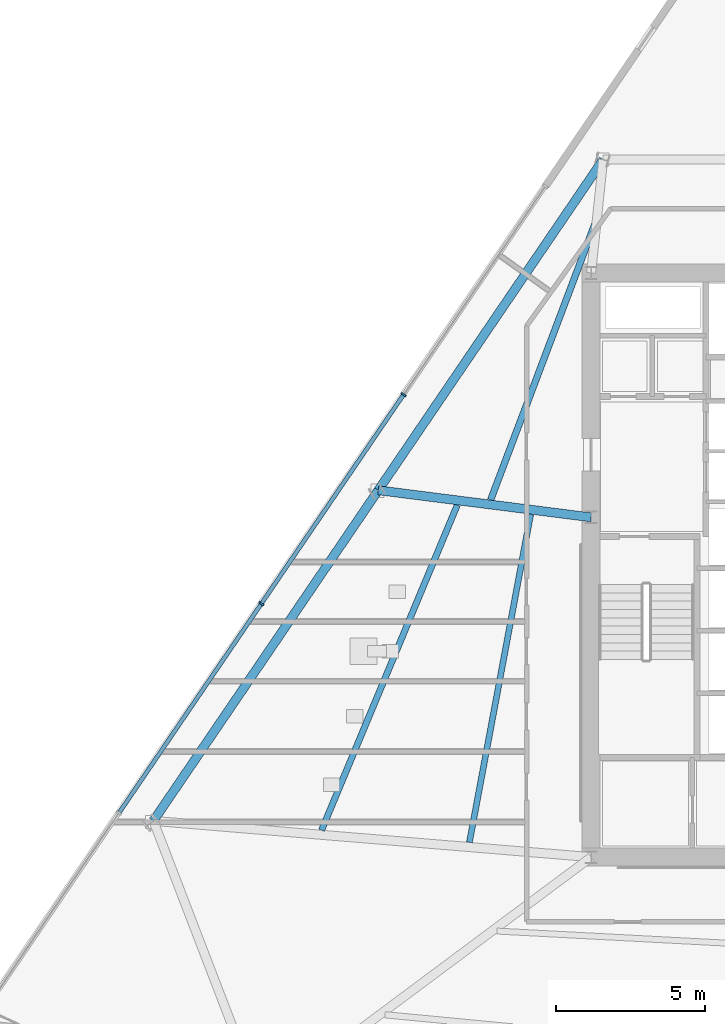
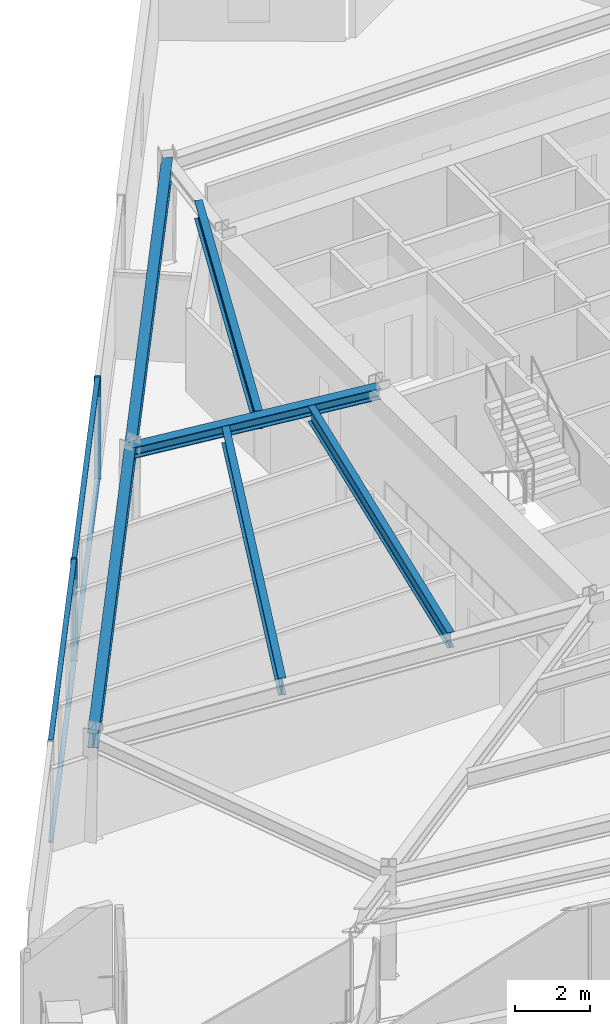
# One storey, part 3 of 15: 6 beams, 6 members, 1 element without a shape of its own.
"""IFC4 building model written with IfcOpenShell, lengths in metres."""

from ifc_helpers import new_model, si_unit, direction, frame, origin, origin_2d, place, context, subcontext, project, spatial, rectangle, i_section, extrude, material, material_profile, profile_set, type_object, element, aggregate, save


model = new_model("IFC4")

# Units and contexts
model_context = context("Model", 3, precision=1e-05, world=origin(), true_north=direction((0.0, 1.0)))
body_context = subcontext(model_context, "Body", "Model", "MODEL_VIEW")
ifc_project = project(units=[si_unit("LENGTHUNIT", "METRE"), si_unit("AREAUNIT", "SQUARE_METRE"), si_unit("VOLUMEUNIT", "CUBIC_METRE"), si_unit("PLANEANGLEUNIT", "RADIAN"), si_unit("MASSUNIT", "GRAM", prefix="KILO")], contexts=[model_context])

# Site, building, storey
site_placement = place(None, origin())
site = spatial("IfcSite", under=ifc_project, at=site_placement, CompositionType="ELEMENT")
building_placement = place(site_placement, origin())
building = spatial("IfcBuilding", under=site, at=building_placement, Name="Savorim Split Tower", CompositionType="ELEMENT")
storey_placement = place(building_placement, frame((0.0, 0.0, 104.10009765625)))
storey = spatial("IfcBuildingStorey", under=building, at=storey_placement, Name="L27", CompositionType="ELEMENT", Elevation=104.10009765625)

# Beams
ifc_material_1 = material(Name="Steel S355", Category="steel")
ifc_material_profile_1 = material_profile(ifc_material_1, i_section(OverallWidth=0.199951171875, OverallDepth=0.5, WebThickness=0.01025390625, FlangeThickness=0.01611328125, FilletRadius=0.02099609375, at=origin_2d()), Name="IPE 500")
ifc_profile_set_1 = profile_set([ifc_material_profile_1], Name="Steel S355")
beam_type_1 = type_object("IfcBeamType", Name="BM-JST-IPE500", PredefinedType="JOIST", material=ifc_profile_set_1)
beam_1_placement = place(storey_placement, frame((-9.728759765625, 2.09716796875, 3.099853515625), z_axis=(-0.183566551616, -0.983007284372, 0.0), x_axis=(0.983007284372, -0.183566551616, 0.0)))
element("IfcBeam", 1, at=beam_1_placement, inside=storey, type_object=beam_type_1, Name="L27 Secondary Floor Joist JS-11", PredefinedType="JOIST", context=body_context, shape_type="SweptSolid", body=[
    extrude(i_section(OverallWidth=0.199951171875, OverallDepth=0.5, WebThickness=0.01025390625, FlangeThickness=0.01611328125, FilletRadius=0.02099609375, at=origin_2d()), origin(), (0.0, 0.0, 1.0), 11.189208984375),
])
ifc_material_profile_2 = material_profile(ifc_material_1, i_section(OverallWidth=0.2099609375, OverallDepth=0.550048828125, WebThickness=0.010986328125, FlangeThickness=0.01708984375, FilletRadius=0.02392578125, at=origin_2d()), Name="IPE 550")
ifc_profile_set_2 = profile_set([ifc_material_profile_2], Name="Steel S355")
beam_type_2 = type_object("IfcBeamType", Name="BM-JST-IPE550", PredefinedType="JOIST", material=ifc_profile_set_2)
beam_2_placement = place(storey_placement, frame((-12.18896484375, 2.415771484375, 3.074951171875), z_axis=(-0.385160649341, -0.922849540391, 0.0), x_axis=(0.922849540391, -0.385160649341, 0.0)))
element("IfcBeam", 2, at=beam_2_placement, inside=storey, type_object=beam_type_2, Name="L27 Secondary Floor Joist JS-10", PredefinedType="JOIST", context=body_context, shape_type="SweptSolid", body=[
    extrude(i_section(OverallWidth=0.2099609375, OverallDepth=0.550048828125, WebThickness=0.010986328125, FlangeThickness=0.01708984375, FilletRadius=0.02392578125, at=origin_2d()), origin(), (0.0, 0.0, 1.0), 11.825439453125),
])
ifc_material_profile_3 = material_profile(ifc_material_1, i_section(OverallWidth=0.219970703125, OverallDepth=0.60009765625, WebThickness=0.011962890625, FlangeThickness=0.01904296875, FilletRadius=0.02392578125, at=origin_2d()), Name="IPE 600")
ifc_profile_set_3 = profile_set([ifc_material_profile_3], Name="Steel S355")
beam_type_3 = type_object("IfcBeamType", Name="BM-JST-IPE600", PredefinedType="JOIST", material=ifc_profile_set_3)
beam_3_placement = place(storey_placement, frame((-7.562255859375, 11.87451171875, 3.0498046875), z_axis=(-0.353380485858, -0.935479680279, 0.0), x_axis=(0.935479680279, -0.353380485858, 0.0)))
element("IfcBeam", 3, at=beam_3_placement, inside=storey, type_object=beam_type_3, Name="L27 Secondary Floor Joist JS-09", PredefinedType="JOIST", context=body_context, shape_type="SweptSolid", body=[
    extrude(i_section(OverallWidth=0.219970703125, OverallDepth=0.60009765625, WebThickness=0.011962890625, FlangeThickness=0.01904296875, FilletRadius=0.02392578125, at=origin_2d()), origin(), (0.0, 0.0, 1.0), 9.92919921875),
])
ifc_material_profile_4 = material_profile(ifc_material_1, i_section(OverallWidth=0.300048828125, OverallDepth=0.360107421875, WebThickness=0.012451171875, FlangeThickness=0.0224609375, FilletRadius=0.027099609375, at=origin_2d()), Name="HEB 360")
ifc_profile_set_4 = profile_set([ifc_material_profile_4], Name="Steel S355")
beam_type_4 = type_object("IfcBeamType", Name="BM-PRI-HEB360", PredefinedType="BEAM", material=ifc_profile_set_4)
beam_4_placement = place(storey_placement, frame((-14.8408203125, 2.908935546875, 3.169921875), z_axis=(0.991996212546, -0.126267629639, 0.0), x_axis=(0.126267629639, 0.991996212546, 0.0)))
element("IfcBeam", 4, at=beam_4_placement, inside=storey, type_object=beam_type_4, Name="L27 Primary Floor Girder RG-09", PredefinedType="BEAM", context=body_context, shape_type="SweptSolid", body=[
    extrude(i_section(OverallWidth=0.300048828125, OverallDepth=0.360107421875, WebThickness=0.012451171875, FlangeThickness=0.0224609375, FilletRadius=0.027099609375, at=origin_2d()), origin(), (0.0, 0.0, 1.0), 7.198486328125),
])
ifc_material_profile_5 = material_profile(ifc_material_1, i_section(OverallWidth=0.300048828125, OverallDepth=0.489990234375, WebThickness=0.011962890625, FlangeThickness=0.02294921875, FilletRadius=0.027099609375, at=origin_2d()), Name="HEA 500")
ifc_profile_set_5 = profile_set([ifc_material_profile_5], Name="Steel S355")
beam_type_5 = type_object("IfcBeamType", Name="BM-SPN-HEA500", PredefinedType="SPANDREL", material=ifc_profile_set_5)
for number, where, z_axis, x_axis, name in (
    (5, (-7.29541015625, 14.000244140625, 3.10498046875), (-0.562479262656, -0.82681139269, 0.0), (0.82681139269, -0.562479262656, 0.0), "L27 Perimeter Spandrel Beam 8"),
    (6, (-14.8408203125, 2.908935546875, 3.10498046875), (-0.562458356946, -0.826825614445, 0.0), (0.826825614445, -0.562458356946, 0.0), "L27 Perimeter Spandrel Beam 9"),
):
    element("IfcBeam", number, at=place(storey_placement, frame(where, z_axis=z_axis, x_axis=x_axis)), inside=storey, type_object=beam_type_5, Name=name, PredefinedType="SPANDREL", context=body_context, shape_type="SweptSolid", body=[
        extrude(i_section(OverallWidth=0.300048828125, OverallDepth=0.489990234375, WebThickness=0.011962890625, FlangeThickness=0.02294921875, FilletRadius=0.027099609375, at=origin_2d()), origin(), (0.0, 0.0, 1.0), 13.41455078125),
    ])

# Curtain wall, members
ifc_material_2 = material(Name="Dark Ceramic-Fritted Insulated Glass", Category="glass")
curtain_wall_type = type_object("IfcCurtainWallType", Name="CW-TWR-FRIT-A", PredefinedType="NOTDEFINED", material=ifc_material_2)
curtain_wall_placement = place(storey_placement, origin())
curtain_wall = element("IfcCurtainWall", 7, at=curtain_wall_placement, inside=storey, type_object=curtain_wall_type, Name="L27 Curtain Wall CW-L27-WEST", PredefinedType="NOTDEFINED")
ifc_material_3 = material(Name="Charcoal Anodised Aluminium", Category="aluminium")
ifc_material_profile_6 = material_profile(ifc_material_3, rectangle(XDim=0.179931640625, YDim=0.06494140625, at=origin_2d()), Name="ALU-M 180x65")
ifc_profile_set_6 = profile_set([ifc_material_profile_6], Name="Charcoal Anodised Aluminium")
member_type_1 = type_object("IfcMemberType", Name="CWM-180x65", PredefinedType="MULLION", material=ifc_profile_set_6)
member_1_placement = place(storey_placement, frame((-13.9912109375, 6.1181640625, 0.0), z_axis=(0.0, 0.0, 1.0), x_axis=(0.826819383915, -0.562467515846, 0.0)))
member_1 = element("IfcMember", 8, at=member_1_placement, type_object=member_type_1, Name="CW-02 mullion 2", PredefinedType="MULLION", context=body_context, shape_type="SweptSolid", body=[
    extrude(rectangle(XDim=0.179931640625, YDim=0.06494140625, at=origin_2d()), origin(), (0.0, 0.0, 1.0), 3.349853515625),
])
member_2_placement = place(storey_placement, frame((-18.76513671875, -0.899658203125, 0.0), z_axis=(0.0, 0.0, 1.0), x_axis=(0.826819383915, -0.562467515846, 0.0)))
member_2 = element("IfcMember", 9, at=member_2_placement, type_object=member_type_1, Name="CW-02 mullion 3", PredefinedType="MULLION", context=body_context, shape_type="SweptSolid", body=[
    extrude(rectangle(XDim=0.179931640625, YDim=0.06494140625, at=origin_2d()), origin(), (0.0, 0.0, 1.0), 3.349853515625),
])
ifc_material_profile_7 = material_profile(ifc_material_3, rectangle(XDim=0.139892578125, YDim=0.054931640625, at=origin_2d()), Name="ALU-T 140x55")
ifc_profile_set_7 = profile_set([ifc_material_profile_7], Name="Charcoal Anodised Aluminium")
member_type_2 = type_object("IfcMemberType", Name="CWT-140x55", PredefinedType="USERDEFINED", material=ifc_profile_set_7)
member_3_placement = place(storey_placement, frame((-14.009521484375, 6.09130859375, 0.02734375), z_axis=(-0.562468576469, -0.826818662395, 0.0), x_axis=(0.826818662395, -0.562468576469, 0.0)))
member_3 = element("IfcMember", 10, at=member_3_placement, type_object=member_type_2, Name="CW-02 transom 2.1", ObjectType="TRANSOM", PredefinedType="USERDEFINED", context=body_context, shape_type="SweptSolid", body=[
    extrude(rectangle(XDim=0.139892578125, YDim=0.054931640625, at=origin_2d()), origin(), (0.0, 0.0, 1.0), 8.4228515625),
])
member_4_placement = place(storey_placement, frame((-14.009521484375, 6.09130859375, 3.322509765625), z_axis=(-0.562468576469, -0.826818662395, 0.0), x_axis=(0.826818662395, -0.562468576469, 0.0)))
member_4 = element("IfcMember", 11, at=member_4_placement, type_object=member_type_2, Name="CW-02 transom 2.2", ObjectType="TRANSOM", PredefinedType="USERDEFINED", context=body_context, shape_type="SweptSolid", body=[
    extrude(rectangle(XDim=0.139892578125, YDim=0.054931640625, at=origin_2d()), origin(), (0.0, 0.0, 1.0), 8.4228515625),
])
member_5_placement = place(storey_placement, frame((-18.783447265625, -0.926513671875, 0.02734375), z_axis=(-0.562482056819, -0.826809491816, 0.0), x_axis=(0.826809491816, -0.562482056819, 0.0)))
member_5 = element("IfcMember", 12, at=member_5_placement, type_object=member_type_2, Name="CW-02 transom 3.1", ObjectType="TRANSOM", PredefinedType="USERDEFINED", context=body_context, shape_type="SweptSolid", body=[
    extrude(rectangle(XDim=0.139892578125, YDim=0.054931640625, at=origin_2d()), origin(), (0.0, 0.0, 1.0), 8.422607421875),
])
member_6_placement = place(storey_placement, frame((-18.783447265625, -0.926513671875, 3.322509765625), z_axis=(-0.562482056819, -0.826809491816, 0.0), x_axis=(0.826809491816, -0.562482056819, 0.0)))
member_6 = element("IfcMember", 13, at=member_6_placement, type_object=member_type_2, Name="CW-02 transom 3.2", ObjectType="TRANSOM", PredefinedType="USERDEFINED", context=body_context, shape_type="SweptSolid", body=[
    extrude(rectangle(XDim=0.139892578125, YDim=0.054931640625, at=origin_2d()), origin(), (0.0, 0.0, 1.0), 8.422607421875),
])
aggregate(curtain_wall, [member_1, member_2, member_3, member_4, member_5, member_6])

save(model, "model.ifc")
